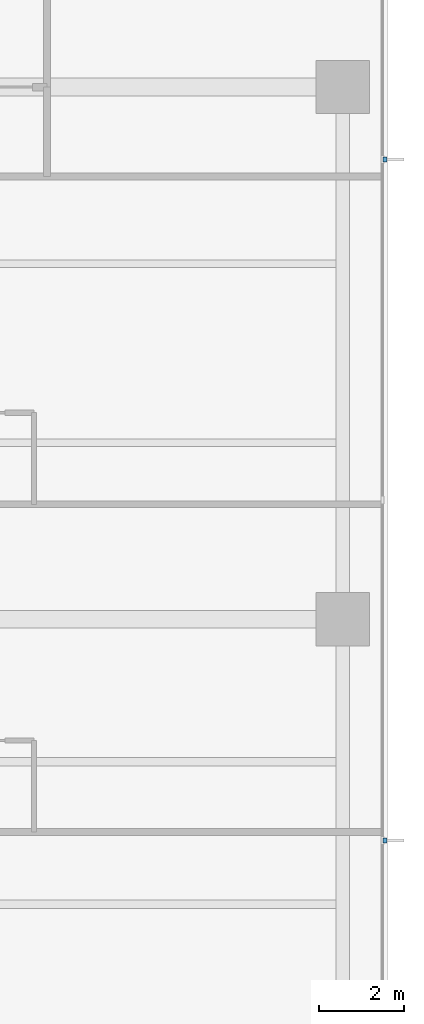
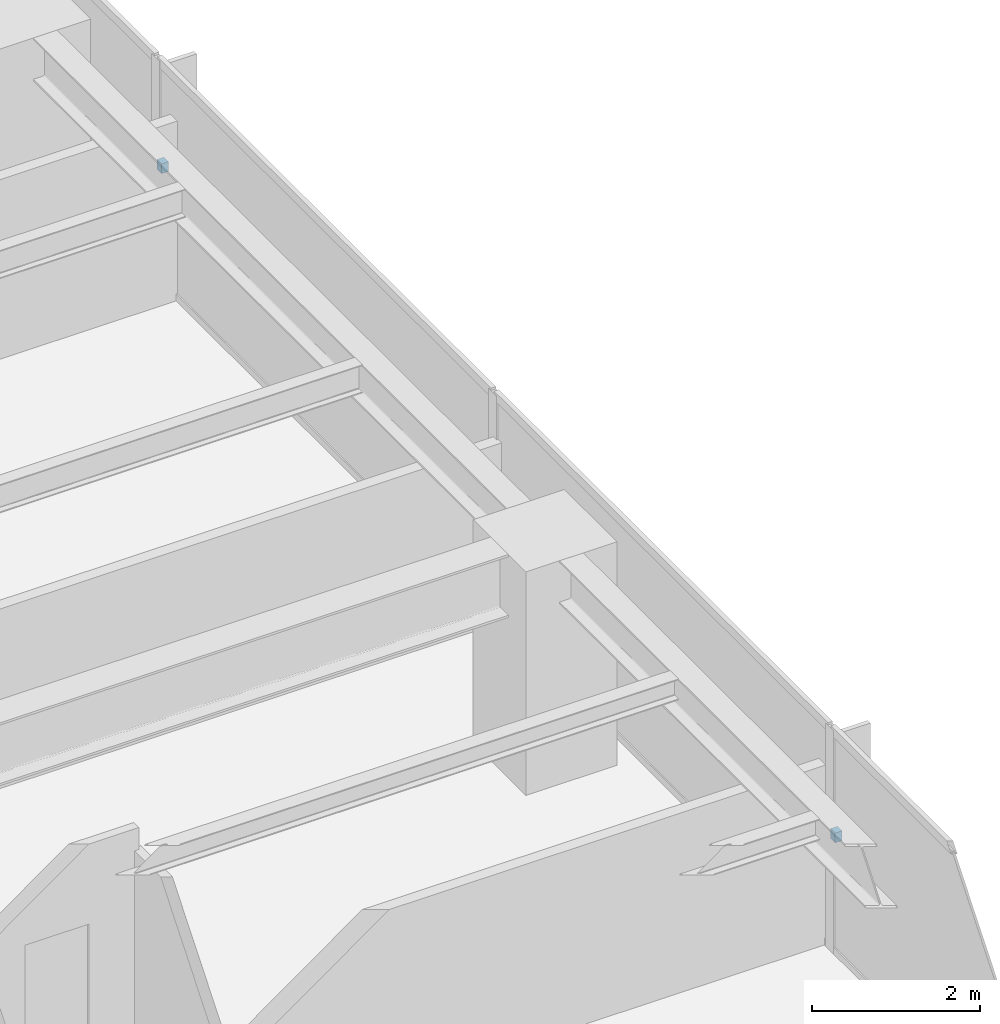
# One storey, part 14 of 17: 2 discrete accessories.
"""IFC4 building model written with IfcOpenShell, lengths in metres."""

from ifc_helpers import new_model, si_unit, direction, frame, origin, place, context, subcontext, project, spatial, polyline, outline, extrude, material, type_object, element, save


model = new_model("IFC4")

# Units and contexts
model_context = context("Model", 3, precision=1e-05, world=origin(), true_north=direction((0.0, 1.0)))
body_context = subcontext(model_context, "Body", "Model", "MODEL_VIEW")
ifc_project = project(units=[si_unit("LENGTHUNIT", "METRE"), si_unit("AREAUNIT", "SQUARE_METRE"), si_unit("VOLUMEUNIT", "CUBIC_METRE"), si_unit("PLANEANGLEUNIT", "RADIAN"), si_unit("MASSUNIT", "GRAM", prefix="KILO")], contexts=[model_context])

# Site, building, storey
site_placement = place(None, origin())
site = spatial("IfcSite", under=ifc_project, at=site_placement, CompositionType="ELEMENT")
building_placement = place(site_placement, origin())
building = spatial("IfcBuilding", under=site, at=building_placement, Name="Qalmaran Belvedere Hotel", CompositionType="ELEMENT")
storey_placement = place(building_placement, frame((0.0, 0.0, 119.699951171875)))
storey = spatial("IfcBuildingStorey", under=building, at=storey_placement, Name="L30", CompositionType="ELEMENT", Elevation=119.699951171875)

# Discrete accessories
ifc_material = material(Name="Stainless Steel 1.4401", Category="steel")
discrete_accessory_type = type_object("IfcDiscreteAccessoryType", Name="BRK-FIN-SS316", PredefinedType="BRACKET", material=ifc_material)
discrete_accessory_1_placement = place(storey_placement, frame((0.0, 0.0, 1.570068359375)))
element("IfcDiscreteAccessory", 1, at=discrete_accessory_1_placement, inside=storey, type_object=discrete_accessory_type, Name="L30 Fin Bracket 1", PredefinedType="BRACKET", context=body_context, shape_type="SweptSolid", body=[
    extrude(outline(polyline([(58.89501953125, 15.2451171875), (58.989990234375, 15.2451171875), (58.989990234375, 15.35498046875), (58.89501953125, 15.35498046875), (58.89501953125, 15.2451171875)])), origin(), (0.0, 0.0, 1.0), 0.139892578125),
])
discrete_accessory_2_placement = place(storey_placement, frame((0.0, 0.0, 1.570068359375)))
element("IfcDiscreteAccessory", 2, at=discrete_accessory_2_placement, inside=storey, type_object=discrete_accessory_type, Name="L30 Fin Bracket 3", PredefinedType="BRACKET", context=body_context, shape_type="SweptSolid", body=[
    extrude(outline(polyline([(58.89501953125, 31.2451171875), (58.989990234375, 31.2451171875), (58.989990234375, 31.35498046875), (58.89501953125, 31.35498046875), (58.89501953125, 31.2451171875)])), origin(), (0.0, 0.0, 1.0), 0.139892578125),
])

save(model, "model.ifc")
